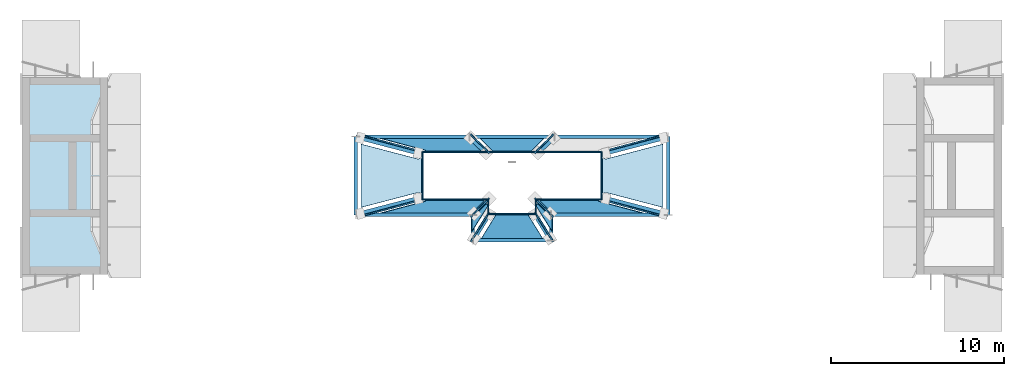
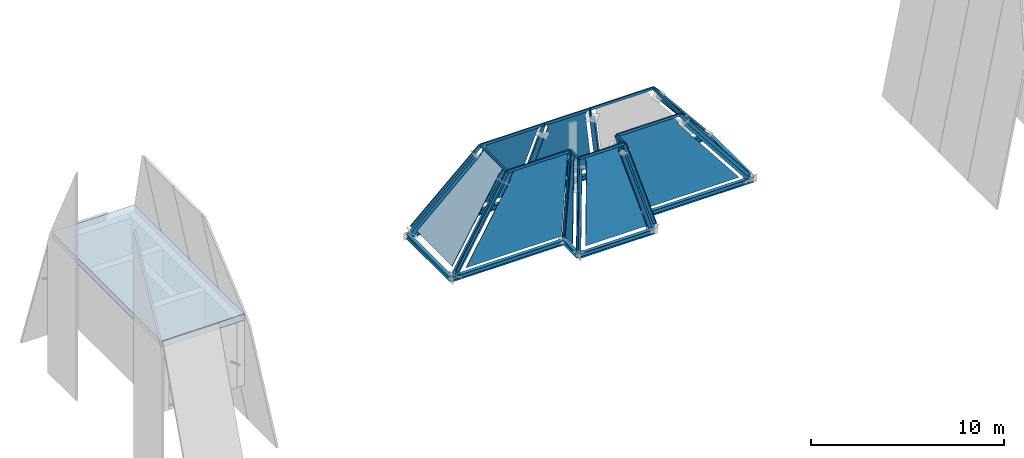
# One storey, part 1 of 5: 30 members, 10 beams, 9 plates, 1 slab, 10 elements without a shape of their own.
"""IFC4 building model written with IfcOpenShell, lengths in metres."""

from ifc_helpers import new_model, si_unit, direction, frame, origin, origin_2d, place, context, subcontext, project, spatial, polyline, rectangle, hollow_rectangle, i_section, outline, extrude, material, layer, layer_set, material_profile, profile_set, type_object, element, aggregate, save


model = new_model("IFC4")

# Units and contexts
model_context = context("Model", 3, precision=1e-05, world=origin(), true_north=direction((0.0, 1.0)))
body_context = subcontext(model_context, "Body", "Model", "MODEL_VIEW")
ifc_project = project(units=[si_unit("LENGTHUNIT", "METRE"), si_unit("AREAUNIT", "SQUARE_METRE"), si_unit("VOLUMEUNIT", "CUBIC_METRE"), si_unit("PLANEANGLEUNIT", "RADIAN"), si_unit("MASSUNIT", "GRAM", prefix="KILO")], contexts=[model_context])

# Site, building, storey
site_placement = place(None, origin())
site = spatial("IfcSite", under=ifc_project, at=site_placement, CompositionType="ELEMENT")
building_placement = place(site_placement, origin())
building = spatial("IfcBuilding", under=site, at=building_placement, Name="Perihelion Cross Residences", CompositionType="ELEMENT")
storey_placement = place(building_placement, frame((0.0, 0.0, 316.800048828125)))
storey = spatial("IfcBuildingStorey", under=building, at=storey_placement, Name="L80", CompositionType="ELEMENT", Elevation=316.800048828125)

# Curtain wall, member
ifc_material_1 = material(Name="Bronze anodised aluminium, tinted glazing", Category="aluminium")
curtain_wall_type = type_object("IfcCurtainWallType", Name="CW6", PredefinedType="NOTDEFINED", material=ifc_material_1)
curtain_wall_1_placement = place(storey_placement, origin())
curtain_wall_1 = element("IfcCurtainWall", 1, at=curtain_wall_1_placement, inside=storey, type_object=curtain_wall_type, Name="Curtain wall CW6 L80 crown 1", PredefinedType="NOTDEFINED")
ifc_material_2 = material(Name="Bronze anodised aluminium", Category="aluminium")
ifc_material_profile_1 = material_profile(ifc_material_2, rectangle(XDim=0.080078125, YDim=0.199951171875, at=origin_2d()), Name="CW6 mullion")
ifc_profile_set_1 = profile_set([ifc_material_profile_1], Name="Bronze anodised aluminium")
member_type_1 = type_object("IfcMemberType", Name="CW6 mullion", PredefinedType="MULLION", material=ifc_profile_set_1)
member_1_placement = place(storey_placement, frame((8.754150390625, -2.3310546875, 0.0), z_axis=(-0.614470480521, 0.163635477879, 0.771783297919), x_axis=(-0.257334760877, -0.966322317265, 0.0)))
member_1 = element("IfcMember", 2, at=member_1_placement, type_object=member_type_1, Name="Mullion CW6-M L80 crown 1", PredefinedType="MULLION", context=body_context, shape_type="SweptSolid", body=[
    extrude(rectangle(XDim=0.080078125, YDim=0.199951171875, at=origin_2d()), origin(), (0.0, 0.0, 1.0), 5.83056640625),
])

curtain_wall_2_placement = place(storey_placement, origin())
curtain_wall_2 = element("IfcCurtainWall", 3, at=curtain_wall_2_placement, inside=storey, type_object=curtain_wall_type, Name="Curtain wall CW6 L80 crown 2", PredefinedType="NOTDEFINED")
member_2_placement = place(storey_placement, frame((8.754150390625, 2.3310546875, 0.0), z_axis=(-0.614470480521, -0.163635477879, 0.771783297919), x_axis=(0.257334760877, -0.966322317265, 0.0)))
member_2 = element("IfcMember", 4, at=member_2_placement, type_object=member_type_1, Name="Mullion CW6-M L80 crown 2", PredefinedType="MULLION", context=body_context, shape_type="SweptSolid", body=[
    extrude(rectangle(XDim=0.080078125, YDim=0.199951171875, at=origin_2d()), origin(), (0.0, 0.0, 1.0), 5.83056640625),
])

curtain_wall_3_placement = place(storey_placement, origin())
curtain_wall_3 = element("IfcCurtainWall", 5, at=curtain_wall_3_placement, inside=storey, type_object=curtain_wall_type, Name="Curtain wall CW6 L80 crown 3", PredefinedType="NOTDEFINED")
member_3_placement = place(storey_placement, frame((2.3310546875, 2.3310546875, 0.0), z_axis=(-0.203089441132, -0.203089441132, 0.957867087754), x_axis=(0.707106781187, -0.707106781187, 0.0)))
member_3 = element("IfcMember", 6, at=member_3_placement, type_object=member_type_1, Name="Mullion CW6-M L80 crown 3", PredefinedType="MULLION", context=body_context, shape_type="SweptSolid", body=[
    extrude(rectangle(XDim=0.080078125, YDim=0.199951171875, at=origin_2d()), origin(), (0.0, 0.0, 1.0), 4.697998046875),
])

curtain_wall_4_placement = place(storey_placement, origin())
curtain_wall_4 = element("IfcCurtainWall", 7, at=curtain_wall_4_placement, inside=storey, type_object=curtain_wall_type, Name="Curtain wall CW6 L80 crown 4", PredefinedType="NOTDEFINED")
member_4_placement = place(storey_placement, frame((-2.3310546875, 2.3310546875, 0.0), z_axis=(0.203089441132, -0.203089441132, 0.957867087754), x_axis=(0.707106781187, 0.707106781187, 0.0)))
member_4 = element("IfcMember", 8, at=member_4_placement, type_object=member_type_1, Name="Mullion CW6-M L80 crown 4", PredefinedType="MULLION", context=body_context, shape_type="SweptSolid", body=[
    extrude(rectangle(XDim=0.080078125, YDim=0.199951171875, at=origin_2d()), origin(), (0.0, 0.0, 1.0), 4.697998046875),
])

curtain_wall_5_placement = place(storey_placement, origin())
curtain_wall_5 = element("IfcCurtainWall", 9, at=curtain_wall_5_placement, inside=storey, type_object=curtain_wall_type, Name="Curtain wall CW6 L80 crown 5", PredefinedType="NOTDEFINED")
member_5_placement = place(storey_placement, frame((-8.754150390625, 2.3310546875, 0.0), z_axis=(0.614470480521, -0.163635477879, 0.771783297919), x_axis=(0.257334760877, 0.966322317265, 0.0)))
member_5 = element("IfcMember", 10, at=member_5_placement, type_object=member_type_1, Name="Mullion CW6-M L80 crown 5", PredefinedType="MULLION", context=body_context, shape_type="SweptSolid", body=[
    extrude(rectangle(XDim=0.080078125, YDim=0.199951171875, at=origin_2d()), origin(), (0.0, 0.0, 1.0), 5.83056640625),
])

curtain_wall_6_placement = place(storey_placement, origin())
curtain_wall_6 = element("IfcCurtainWall", 11, at=curtain_wall_6_placement, inside=storey, type_object=curtain_wall_type, Name="Curtain wall CW6 L80 crown 6", PredefinedType="NOTDEFINED")
member_6_placement = place(storey_placement, frame((-8.754150390625, -2.3310546875, 0.0), z_axis=(0.614470480521, 0.163635477879, 0.771783297919), x_axis=(-0.257334760877, 0.966322317265, 0.0)))
member_6 = element("IfcMember", 12, at=member_6_placement, type_object=member_type_1, Name="Mullion CW6-M L80 crown 6", PredefinedType="MULLION", context=body_context, shape_type="SweptSolid", body=[
    extrude(rectangle(XDim=0.080078125, YDim=0.199951171875, at=origin_2d()), origin(), (0.0, 0.0, 1.0), 5.83056640625),
])

curtain_wall_7_placement = place(storey_placement, origin())
curtain_wall_7 = element("IfcCurtainWall", 13, at=curtain_wall_7_placement, inside=storey, type_object=curtain_wall_type, Name="Curtain wall CW6 L80 crown 7", PredefinedType="NOTDEFINED")
member_7_placement = place(storey_placement, frame((-2.3310546875, -2.3310546875, 0.0), z_axis=(0.203089441132, 0.203089441132, 0.957867087754), x_axis=(-0.707106781187, 0.707106781187, 0.0)))
member_7 = element("IfcMember", 14, at=member_7_placement, type_object=member_type_1, Name="Mullion CW6-M L80 crown 7", PredefinedType="MULLION", context=body_context, shape_type="SweptSolid", body=[
    extrude(rectangle(XDim=0.080078125, YDim=0.199951171875, at=origin_2d()), origin(), (0.0, 0.0, 1.0), 4.697998046875),
])

curtain_wall_8_placement = place(storey_placement, origin())
curtain_wall_8 = element("IfcCurtainWall", 15, at=curtain_wall_8_placement, inside=storey, type_object=curtain_wall_type, Name="Curtain wall CW6 L80 crown 8", PredefinedType="NOTDEFINED")
member_8_placement = place(storey_placement, frame((-2.3310546875, -3.7294921875, 0.0), z_axis=(0.196857567064, 0.314931808927, 0.928474584475), x_axis=(-0.847967823625, 0.530047705491, 0.0)))
member_8 = element("IfcMember", 16, at=member_8_placement, type_object=member_type_1, Name="Mullion CW6-M L80 crown 8", PredefinedType="MULLION", context=body_context, shape_type="SweptSolid", body=[
    extrude(rectangle(XDim=0.080078125, YDim=0.199951171875, at=origin_2d()), origin(), (0.0, 0.0, 1.0), 4.8466796875),
])

curtain_wall_9_placement = place(storey_placement, origin())
curtain_wall_9 = element("IfcCurtainWall", 17, at=curtain_wall_9_placement, inside=storey, type_object=curtain_wall_type, Name="Curtain wall CW6 L80 crown 9", PredefinedType="NOTDEFINED")
member_9_placement = place(storey_placement, frame((2.3310546875, -3.7294921875, 0.0), z_axis=(-0.196857567064, 0.314931808927, 0.928474584475), x_axis=(-0.847967823625, -0.530047705491, 0.0)))
member_9 = element("IfcMember", 18, at=member_9_placement, type_object=member_type_1, Name="Mullion CW6-M L80 crown 9", PredefinedType="MULLION", context=body_context, shape_type="SweptSolid", body=[
    extrude(rectangle(XDim=0.080078125, YDim=0.199951171875, at=origin_2d()), origin(), (0.0, 0.0, 1.0), 4.8466796875),
])

curtain_wall_10_placement = place(storey_placement, origin())
curtain_wall_10 = element("IfcCurtainWall", 19, at=curtain_wall_10_placement, inside=storey, type_object=curtain_wall_type, Name="Curtain wall CW6 L80 crown 10", PredefinedType="NOTDEFINED")
member_10_placement = place(storey_placement, frame((2.3310546875, -2.3310546875, 0.0), z_axis=(-0.203089441132, 0.203089441132, 0.957867087754), x_axis=(-0.707106781187, -0.707106781187, 0.0)))
member_10 = element("IfcMember", 20, at=member_10_placement, type_object=member_type_1, Name="Mullion CW6-M L80 crown 10", PredefinedType="MULLION", context=body_context, shape_type="SweptSolid", body=[
    extrude(rectangle(XDim=0.080078125, YDim=0.199951171875, at=origin_2d()), origin(), (0.0, 0.0, 1.0), 4.697998046875),
])

# Member
ifc_material_3 = material(Name="Bronze anodised aluminium", Category="aluminium")
ifc_material_profile_2 = material_profile(ifc_material_3, rectangle(XDim=0.080078125, YDim=0.159912109375, at=origin_2d()), Name="CW6 transom")
ifc_profile_set_2 = profile_set([ifc_material_profile_2], Name="Bronze anodised aluminium")
member_type_2 = type_object("IfcMemberType", Name="CW6 transom", PredefinedType="USERDEFINED", material=ifc_profile_set_2)
member_11_placement = place(storey_placement, frame((5.17138671875, -1.376953125, 4.5), z_axis=(0.0, 1.0, 0.0), x_axis=(-1.0, 0.0, 0.0)))
member_11 = element("IfcMember", 21, at=member_11_placement, type_object=member_type_2, Name="Transom CW6-T L80 crown 1 top", ObjectType="TRANSOM", PredefinedType="USERDEFINED", context=body_context, shape_type="SweptSolid", body=[
    extrude(rectangle(XDim=0.080078125, YDim=0.159912109375, at=origin_2d()), origin(), (0.0, 0.0, 1.0), 2.75390625),
])

member_12_placement = place(storey_placement, frame((5.17138671875, 1.376953125, 4.5), z_axis=(-1.0, 0.0, 0.0), x_axis=(0.0, -1.0, 0.0)))
member_12 = element("IfcMember", 22, at=member_12_placement, type_object=member_type_2, Name="Transom CW6-T L80 crown 2 top", ObjectType="TRANSOM", PredefinedType="USERDEFINED", context=body_context, shape_type="SweptSolid", body=[
    extrude(rectangle(XDim=0.080078125, YDim=0.159912109375, at=origin_2d()), origin(), (0.0, 0.0, 1.0), 3.79443359375),
])

aggregate(curtain_wall_2, [member_2, member_12])

member_13_placement = place(storey_placement, frame((1.376953125, 1.376953125, 4.5), z_axis=(-1.0, 0.0, 0.0), x_axis=(0.0, -1.0, 0.0)))
member_13 = element("IfcMember", 23, at=member_13_placement, type_object=member_type_2, Name="Transom CW6-T L80 crown 3 top", ObjectType="TRANSOM", PredefinedType="USERDEFINED", context=body_context, shape_type="SweptSolid", body=[
    extrude(rectangle(XDim=0.080078125, YDim=0.159912109375, at=origin_2d()), origin(), (0.0, 0.0, 1.0), 2.75390625),
])

member_14_placement = place(storey_placement, frame((-1.376953125, 1.376953125, 4.5), z_axis=(-1.0, 0.0, 0.0), x_axis=(0.0, -1.0, 0.0)))
member_14 = element("IfcMember", 24, at=member_14_placement, type_object=member_type_2, Name="Transom CW6-T L80 crown 4 top", ObjectType="TRANSOM", PredefinedType="USERDEFINED", context=body_context, shape_type="SweptSolid", body=[
    extrude(rectangle(XDim=0.080078125, YDim=0.159912109375, at=origin_2d()), origin(), (0.0, 0.0, 1.0), 3.79443359375),
])

member_15_placement = place(storey_placement, frame((-5.17138671875, 1.376953125, 4.5), z_axis=(0.0, -1.0, 0.0), x_axis=(1.0, 0.0, 0.0)))
member_15 = element("IfcMember", 25, at=member_15_placement, type_object=member_type_2, Name="Transom CW6-T L80 crown 5 top", ObjectType="TRANSOM", PredefinedType="USERDEFINED", context=body_context, shape_type="SweptSolid", body=[
    extrude(rectangle(XDim=0.080078125, YDim=0.159912109375, at=origin_2d()), origin(), (0.0, 0.0, 1.0), 2.75390625),
])

member_16_placement = place(storey_placement, frame((-5.17138671875, -1.376953125, 4.5), z_axis=(1.0, 0.0, 0.0), x_axis=(0.0, 1.0, 0.0)))
member_16 = element("IfcMember", 26, at=member_16_placement, type_object=member_type_2, Name="Transom CW6-T L80 crown 6 top", ObjectType="TRANSOM", PredefinedType="USERDEFINED", context=body_context, shape_type="SweptSolid", body=[
    extrude(rectangle(XDim=0.080078125, YDim=0.159912109375, at=origin_2d()), origin(), (0.0, 0.0, 1.0), 3.79443359375),
])

member_17_placement = place(storey_placement, frame((-1.376953125, -1.376953125, 4.5), z_axis=(0.0, -1.0, 0.0), x_axis=(1.0, 0.0, 0.0)))
member_17 = element("IfcMember", 27, at=member_17_placement, type_object=member_type_2, Name="Transom CW6-T L80 crown 7 top", ObjectType="TRANSOM", PredefinedType="USERDEFINED", context=body_context, shape_type="SweptSolid", body=[
    extrude(rectangle(XDim=0.080078125, YDim=0.159912109375, at=origin_2d()), origin(), (0.0, 0.0, 1.0), 0.826171875),
])

member_18_placement = place(storey_placement, frame((-1.376953125, -2.203125, 4.5), z_axis=(1.0, 0.0, 0.0), x_axis=(0.0, 1.0, 0.0)))
member_18 = element("IfcMember", 28, at=member_18_placement, type_object=member_type_2, Name="Transom CW6-T L80 crown 8 top", ObjectType="TRANSOM", PredefinedType="USERDEFINED", context=body_context, shape_type="SweptSolid", body=[
    extrude(rectangle(XDim=0.080078125, YDim=0.159912109375, at=origin_2d()), origin(), (0.0, 0.0, 1.0), 2.75390625),
])

member_19_placement = place(storey_placement, frame((1.376953125, -2.203125, 4.5), z_axis=(0.0, 1.0, 0.0), x_axis=(-1.0, 0.0, 0.0)))
member_19 = element("IfcMember", 29, at=member_19_placement, type_object=member_type_2, Name="Transom CW6-T L80 crown 9 top", ObjectType="TRANSOM", PredefinedType="USERDEFINED", context=body_context, shape_type="SweptSolid", body=[
    extrude(rectangle(XDim=0.080078125, YDim=0.159912109375, at=origin_2d()), origin(), (0.0, 0.0, 1.0), 0.826171875),
])

member_20_placement = place(storey_placement, frame((1.376953125, -1.376953125, 4.5), z_axis=(1.0, 0.0, 0.0), x_axis=(0.0, 1.0, 0.0)))
member_20 = element("IfcMember", 30, at=member_20_placement, type_object=member_type_2, Name="Transom CW6-T L80 crown 10 top", ObjectType="TRANSOM", PredefinedType="USERDEFINED", context=body_context, shape_type="SweptSolid", body=[
    extrude(rectangle(XDim=0.080078125, YDim=0.159912109375, at=origin_2d()), origin(), (0.0, 0.0, 1.0), 3.79443359375),
])

# Members
ifc_material_4 = material(Name="Steel S355", Category="steel")
ifc_material_profile_3 = material_profile(ifc_material_4, hollow_rectangle(XDim=0.25390625, YDim=0.25390625, WallThickness=0.009521484375, at=origin_2d()), Name="HSS254x254x9.5")
ifc_profile_set_3 = profile_set([ifc_material_profile_3], Name="Steel S355")
member_type_3 = type_object("IfcMemberType", Name="Crown leg HSS254x254x9.5", PredefinedType="BRACE", material=ifc_profile_set_3)
for number, where, z_axis, x_axis, name in (
    (31, (8.783203125, -2.19482421875, -0.25), (-0.614997506046, 0.160596151199, 0.772001906589), (-0.252660547456, -0.96755498436, 0.0), "Crown leg CR5 L80 1 no. 1"),
    (32, (8.783203125, 2.19482421875, -0.25), (-0.614997506046, -0.160596151199, 0.772001906589), (0.252660547456, -0.96755498436, 0.0), "Crown leg CR5 L80 2 no. 1"),
):
    element("IfcMember", number, at=place(storey_placement, frame(where, z_axis=z_axis, x_axis=x_axis)), inside=storey, type_object=member_type_3, Name=name, PredefinedType="BRACE", context=body_context, shape_type="SweptSolid", body=[
        extrude(hollow_rectangle(XDim=0.25390625, YDim=0.25390625, WallThickness=0.009521484375, at=origin_2d()), origin(), (0.0, 0.0, 1.0), 5.437744140625),
    ])
for number, where, z_axis, x_axis, name in (
    (33, (2.390869140625, 2.19482421875, -0.25), (-0.204649549453, -0.199354966883, 0.95831944522), (0.697780047375, -0.716312086653, 0.0), "Crown leg CR5 L80 3 no. 1"),
    (34, (-2.390869140625, 2.19482421875, -0.25), (0.204649549453, -0.199354966883, 0.95831944522), (0.697780047375, 0.716312086653, 0.0), "Crown leg CR5 L80 4 no. 1"),
):
    element("IfcMember", number, at=place(storey_placement, frame(where, z_axis=z_axis, x_axis=x_axis)), inside=storey, type_object=member_type_3, Name=name, PredefinedType="BRACE", context=body_context, shape_type="SweptSolid", body=[
        extrude(hollow_rectangle(XDim=0.25390625, YDim=0.25390625, WallThickness=0.009521484375, at=origin_2d()), origin(), (0.0, 0.0, 1.0), 4.380615234375),
    ])
for number, where, z_axis, x_axis, name in (
    (35, (-8.783203125, 2.19482421875, -0.25), (0.614997506046, -0.160596151199, 0.772001906589), (0.252660547456, 0.96755498436, 0.0), "Crown leg CR5 L80 5 no. 1"),
    (36, (-8.783203125, -2.19482421875, -0.25), (0.614997506046, 0.160596151199, 0.772001906589), (-0.252660547456, 0.96755498436, 0.0), "Crown leg CR5 L80 6 no. 1"),
):
    element("IfcMember", number, at=place(storey_placement, frame(where, z_axis=z_axis, x_axis=x_axis)), inside=storey, type_object=member_type_3, Name=name, PredefinedType="BRACE", context=body_context, shape_type="SweptSolid", body=[
        extrude(hollow_rectangle(XDim=0.25390625, YDim=0.25390625, WallThickness=0.009521484375, at=origin_2d()), origin(), (0.0, 0.0, 1.0), 5.437744140625),
    ])
member_21_placement = place(storey_placement, frame((-2.19482421875, -2.19482421875, -0.25), z_axis=(0.1995685232, 0.1995685232, 0.95934603199), x_axis=(-0.707106781187, 0.707106781187, 0.0)))
element("IfcMember", 37, at=member_21_placement, inside=storey, type_object=member_type_3, Name="Crown leg CR5 L80 7 no. 1", PredefinedType="BRACE", context=body_context, shape_type="SweptSolid", body=[
    extrude(hollow_rectangle(XDim=0.25390625, YDim=0.25390625, WallThickness=0.009521484375, at=origin_2d()), origin(), (0.0, 0.0, 1.0), 4.3759765625),
])
for number, where, z_axis, x_axis, name in (
    (38, (-2.19482421875, -3.62939453125, -0.25), (0.193455125678, 0.312654202278, 0.929958313123), (-0.850377983248, 0.526172296502, 0.0), "Crown leg CR5 L80 8 no. 1"),
    (39, (2.19482421875, -3.62939453125, -0.25), (-0.193455125678, 0.312654202278, 0.929958313123), (-0.850377983248, -0.526172296502, 0.0), "Crown leg CR5 L80 9 no. 1"),
):
    element("IfcMember", number, at=place(storey_placement, frame(where, z_axis=z_axis, x_axis=x_axis)), inside=storey, type_object=member_type_3, Name=name, PredefinedType="BRACE", context=body_context, shape_type="SweptSolid", body=[
        extrude(hollow_rectangle(XDim=0.25390625, YDim=0.25390625, WallThickness=0.009521484375, at=origin_2d()), origin(), (0.0, 0.0, 1.0), 4.51416015625),
    ])
member_22_placement = place(storey_placement, frame((2.19482421875, -2.19482421875, -0.25), z_axis=(-0.1995685232, 0.1995685232, 0.95934603199), x_axis=(-0.707106781187, -0.707106781187, 0.0)))
element("IfcMember", 40, at=member_22_placement, inside=storey, type_object=member_type_3, Name="Crown leg CR5 L80 10 no. 1", PredefinedType="BRACE", context=body_context, shape_type="SweptSolid", body=[
    extrude(hollow_rectangle(XDim=0.25390625, YDim=0.25390625, WallThickness=0.009521484375, at=origin_2d()), origin(), (0.0, 0.0, 1.0), 4.3759765625),
])

# Beams
ifc_material_5 = material(Name="Steel S355", Category="steel")
ifc_material_profile_4 = material_profile(ifc_material_5, i_section(OverallWidth=0.202880859375, OverallDepth=0.302001953125, WebThickness=0.007568359375, FlangeThickness=0.01318359375, at=origin_2d()), Name="W310x60")
ifc_profile_set_4 = profile_set([ifc_material_profile_4], Name="Steel S355")
beam_type = type_object("IfcBeamType", Name="Crown ring beam W310x60", PredefinedType="BEAM", material=ifc_profile_set_4)
beam_1_placement = place(storey_placement, frame((9.03515625, -2.26123046875, -0.401123046875), z_axis=(0.0, 1.0, 0.0), x_axis=(-1.0, 0.0, 0.0)))
element("IfcBeam", 41, at=beam_1_placement, inside=storey, type_object=beam_type, Name="Crown ring beam CB2 L80 no. 1", PredefinedType="BEAM", context=body_context, shape_type="SweptSolid", body=[
    extrude(i_section(OverallWidth=0.202880859375, OverallDepth=0.302001953125, WebThickness=0.007568359375, FlangeThickness=0.01318359375, at=origin_2d()), origin(), (0.0, 0.0, 1.0), 4.5224609375),
])
beam_2_placement = place(storey_placement, frame((9.03515625, 2.26123046875, -0.401123046875), z_axis=(-1.0, 0.0, 0.0), x_axis=(0.0, -1.0, 0.0)))
element("IfcBeam", 42, at=beam_2_placement, inside=storey, type_object=beam_type, Name="Crown ring beam CB2 L80 no. 2", PredefinedType="BEAM", context=body_context, shape_type="SweptSolid", body=[
    extrude(i_section(OverallWidth=0.202880859375, OverallDepth=0.302001953125, WebThickness=0.007568359375, FlangeThickness=0.01318359375, at=origin_2d()), origin(), (0.0, 0.0, 1.0), 6.576904296875),
])
beam_3_placement = place(storey_placement, frame((2.458251953125, 2.26123046875, -0.401123046875), z_axis=(-1.0, 0.0, 0.0), x_axis=(0.0, -1.0, 0.0)))
element("IfcBeam", 43, at=beam_3_placement, inside=storey, type_object=beam_type, Name="Crown ring beam CB2 L80 no. 3", PredefinedType="BEAM", context=body_context, shape_type="SweptSolid", body=[
    extrude(i_section(OverallWidth=0.202880859375, OverallDepth=0.302001953125, WebThickness=0.007568359375, FlangeThickness=0.01318359375, at=origin_2d()), origin(), (0.0, 0.0, 1.0), 4.91650390625),
])
beam_4_placement = place(storey_placement, frame((-2.458251953125, 2.26123046875, -0.401123046875), z_axis=(-1.0, 0.0, 0.0), x_axis=(0.0, -1.0, 0.0)))
element("IfcBeam", 44, at=beam_4_placement, inside=storey, type_object=beam_type, Name="Crown ring beam CB2 L80 no. 4", PredefinedType="BEAM", context=body_context, shape_type="SweptSolid", body=[
    extrude(i_section(OverallWidth=0.202880859375, OverallDepth=0.302001953125, WebThickness=0.007568359375, FlangeThickness=0.01318359375, at=origin_2d()), origin(), (0.0, 0.0, 1.0), 6.576904296875),
])
beam_5_placement = place(storey_placement, frame((-9.03515625, 2.26123046875, -0.401123046875), z_axis=(0.0, -1.0, 0.0), x_axis=(1.0, 0.0, 0.0)))
element("IfcBeam", 45, at=beam_5_placement, inside=storey, type_object=beam_type, Name="Crown ring beam CB2 L80 no. 5", PredefinedType="BEAM", context=body_context, shape_type="SweptSolid", body=[
    extrude(i_section(OverallWidth=0.202880859375, OverallDepth=0.302001953125, WebThickness=0.007568359375, FlangeThickness=0.01318359375, at=origin_2d()), origin(), (0.0, 0.0, 1.0), 4.5224609375),
])
beam_6_placement = place(storey_placement, frame((-9.03515625, -2.26123046875, -0.401123046875), z_axis=(1.0, 0.0, 0.0), x_axis=(0.0, 1.0, 0.0)))
element("IfcBeam", 46, at=beam_6_placement, inside=storey, type_object=beam_type, Name="Crown ring beam CB2 L80 no. 6", PredefinedType="BEAM", context=body_context, shape_type="SweptSolid", body=[
    extrude(i_section(OverallWidth=0.202880859375, OverallDepth=0.302001953125, WebThickness=0.007568359375, FlangeThickness=0.01318359375, at=origin_2d()), origin(), (0.0, 0.0, 1.0), 6.77392578125),
])
beam_7_placement = place(storey_placement, frame((-2.26123046875, -2.26123046875, -0.401123046875), z_axis=(0.0, -1.0, 0.0), x_axis=(1.0, 0.0, 0.0)))
element("IfcBeam", 47, at=beam_7_placement, inside=storey, type_object=beam_type, Name="Crown ring beam CB2 L80 no. 7", PredefinedType="BEAM", context=body_context, shape_type="SweptSolid", body=[
    extrude(i_section(OverallWidth=0.202880859375, OverallDepth=0.302001953125, WebThickness=0.007568359375, FlangeThickness=0.01318359375, at=origin_2d()), origin(), (0.0, 0.0, 1.0), 1.47509765625),
])
beam_8_placement = place(storey_placement, frame((-2.26123046875, -3.736328125, -0.401123046875), z_axis=(1.0, 0.0, 0.0), x_axis=(0.0, 1.0, 0.0)))
element("IfcBeam", 48, at=beam_8_placement, inside=storey, type_object=beam_type, Name="Crown ring beam CB2 L80 no. 8", PredefinedType="BEAM", context=body_context, shape_type="SweptSolid", body=[
    extrude(i_section(OverallWidth=0.202880859375, OverallDepth=0.302001953125, WebThickness=0.007568359375, FlangeThickness=0.01318359375, at=origin_2d()), origin(), (0.0, 0.0, 1.0), 4.5224609375),
])
beam_9_placement = place(storey_placement, frame((2.26123046875, -3.736328125, -0.401123046875), z_axis=(0.0, 1.0, 0.0), x_axis=(-1.0, 0.0, 0.0)))
element("IfcBeam", 49, at=beam_9_placement, inside=storey, type_object=beam_type, Name="Crown ring beam CB2 L80 no. 9", PredefinedType="BEAM", context=body_context, shape_type="SweptSolid", body=[
    extrude(i_section(OverallWidth=0.202880859375, OverallDepth=0.302001953125, WebThickness=0.007568359375, FlangeThickness=0.01318359375, at=origin_2d()), origin(), (0.0, 0.0, 1.0), 1.47509765625),
])
beam_10_placement = place(storey_placement, frame((2.26123046875, -2.26123046875, -0.401123046875), z_axis=(1.0, 0.0, 0.0), x_axis=(0.0, 1.0, 0.0)))
element("IfcBeam", 50, at=beam_10_placement, inside=storey, type_object=beam_type, Name="Crown ring beam CB2 L80 no. 10", PredefinedType="BEAM", context=body_context, shape_type="SweptSolid", body=[
    extrude(i_section(OverallWidth=0.202880859375, OverallDepth=0.302001953125, WebThickness=0.007568359375, FlangeThickness=0.01318359375, at=origin_2d()), origin(), (0.0, 0.0, 1.0), 6.77392578125),
])

# Plate
ifc_material_6 = material(Name="Bronze anodised aluminium", Category="aluminium")
ifc_layer_1 = layer(ifc_material_6, 0.033935546875)
ifc_layer_set_1 = layer_set([ifc_layer_1], Name="CW6 metal panel")
plate_type_1 = type_object("IfcPlateType", Name="CW6 metal panel", PredefinedType="CURTAIN_PANEL", material=ifc_layer_set_1)
plate_1_placement = place(storey_placement, frame((-1.38427734375, -1.788330078125, 4.4658203125), z_axis=(-0.978255652994, -7.1943643e-05, 0.207402681298), x_axis=(-0.19696787794, -0.312874846606, -0.929146374594)))
plate_1 = element("IfcPlate", 51, at=plate_1_placement, type_object=plate_type_1, Name="Curtain wall panel CW6-PM L80 crown 7", PredefinedType="CURTAIN_PANEL", context=body_context, shape_type="SweptSolid", body=[
    extrude(outline(polyline([(0.0, 0.0), (0.2855949499432671, 0.0), (0.28561623947801174, -0.06375436505359199), (4.748241300340686, -0.0647856052179685), (4.515189260059013, -0.7722618236236667), (0.044466543970086383, -0.24547496907245647), (0.03693340827281952, -0.3090542209860062), (-0.09670399311589593, -0.29356436987925727), (0.0, 0.0)])), origin(), (0.0, 0.0, -1.0), 0.033935546875),
])

aggregate(curtain_wall_7, [member_7, member_17, plate_1])

plate_2_placement = place(storey_placement, frame((0.955322265625, -2.21435546875, 4.466796875), z_axis=(0.0, -0.947002055764, 0.321227499411), x_axis=(0.201207321139, -0.314657972607, -0.927634612439)))
plate_2 = element("IfcPlate", 52, at=plate_2_placement, type_object=plate_type_1, Name="Curtain wall panel CW6-PM L80 crown 8", PredefinedType="CURTAIN_PANEL", context=body_context, shape_type="SweptSolid", body=[
    extrude(outline(polyline([(0.0, 0.0), (0.23660879537351878, 0.0), (0.23601528905333627, -0.055458133669250564), (4.76075032269644, -0.09110877002074835), (4.026756232741131, -3.6644526071695633), (-0.14566949738440652, -1.9136351926068953), (-0.16698479605151278, -1.9648369004159192), (-0.3844356677814383, -1.8715693260290875), (0.0, 0.0)])), origin(), (0.0, 0.0, -1.0), 0.033935546875),
])

aggregate(curtain_wall_8, [member_8, member_18, plate_2])

plate_3_placement = place(storey_placement, frame((1.38427734375, -1.479248046875, 4.4658203125), z_axis=(0.978255652994, -7.1943643e-05, 0.207402681298), x_axis=(0.203137099057, -0.201435975517, -0.958206066957)))
plate_3 = element("IfcPlate", 53, at=plate_3_placement, type_object=plate_type_1, Name="Curtain wall panel CW6-PM L80 crown 9", PredefinedType="CURTAIN_PANEL", context=body_context, shape_type="SweptSolid", body=[
    extrude(outline(polyline([(0.0, 0.0), (0.13453211707588297, 0.0), (0.13469472166354118, -0.0640237687666308), (4.636338113641932, -0.05549348513819752), (4.786382342475822, -0.7850978864974008), (0.3533175619439724, -0.2723014854726268), (0.34595582021734944, -0.3356293961864776), (0.06226024047974577, -0.3027463690989024), (0.0, 0.0)])), origin(), (0.0, 0.0, -1.0), 0.033935546875),
])

aggregate(curtain_wall_9, [member_9, member_19, plate_3])

ifc_material_7 = material(Name="Tinted laminated glass", Category="glass")
ifc_layer_2 = layer(ifc_material_7, 0.033935546875)
ifc_layer_set_2 = layer_set([ifc_layer_2], Name="CW6 panel")
plate_type_2 = type_object("IfcPlateType", Name="CW6 panel", PredefinedType="CURTAIN_PANEL", material=ifc_layer_set_2)
plate_4_placement = place(storey_placement, frame((5.193115234375, 0.9716796875, 4.47265625), z_axis=(0.782325425793, 0.0, 0.622869912709), x_axis=(0.614543479567, 0.162963203182, -0.771867414865)))
plate_4 = element("IfcPlate", 54, at=plate_4_placement, type_object=plate_type_2, Name="Curtain wall panel CW6-P L80 crown 1", PredefinedType="CURTAIN_PANEL", context=body_context, shape_type="SweptSolid", body=[
    extrude(outline(polyline([(0.0, 0.0), (0.29513228867533225, 0.0), (0.294838427475776, -0.06354572190233923), (5.746574690128718, -0.0764177760145528), (5.149228612839597, -3.6929448907651437), (-0.017083328614985904, -1.9520213166568772), (-0.03723943968974741, -2.012286367165741), (-0.3166960686839878, -1.9173808334497604), (0.0, 0.0)])), origin(), (0.0, 0.0, -1.0), 0.033935546875),
])

aggregate(curtain_wall_1, [member_1, member_11, plate_4])

plate_5_placement = place(storey_placement, frame((-1.133056640625, 1.38427734375, 4.4658203125), z_axis=(0.0, 0.978259165773, 0.207386124372), x_axis=(-0.201830256118, 0.203118225002, -0.958127097199)))
plate_5 = element("IfcPlate", 55, at=plate_5_placement, type_object=plate_type_2, Name="Curtain wall panel CW6-P L80 crown 3", PredefinedType="CURTAIN_PANEL", context=body_context, shape_type="SweptSolid", body=[
    extrude(outline(polyline([(0.0, 0.0), (0.2395074191538127, 0.0), (0.2397376023930969, -0.06435921868513325), (4.614728367308972, -0.051344945126651775), (3.8016914469113376, -3.99676450534714), (-0.2117196257695166, -2.255143098123928), (-0.23737569088305407, -2.3141679093220535), (-0.4573702239473236, -2.219477839876762), (0.0, 0.0)])), origin(), (0.0, 0.0, -1.0), 0.033935546875),
])

aggregate(curtain_wall_3, [member_3, member_13, plate_5])

plate_6_placement = place(storey_placement, frame((-4.736083984375, 1.38427734375, 4.4658203125), z_axis=(-1.0140466e-05, 0.978258858143, 0.207387575236), x_axis=(-0.610824380305, 0.164196394788, -0.774553497419)))
plate_6 = element("IfcPlate", 56, at=plate_6_placement, type_object=plate_type_2, Name="Curtain wall panel CW6-P L80 crown 4", PredefinedType="CURTAIN_PANEL", context=body_context, shape_type="SweptSolid", body=[
    extrude(outline(polyline([(0.0, 0.0), (0.5040095614673675, -2.7755575615628914e-17), (0.5043409303386965, -0.06408397073050692), (5.693217085961347, -0.03671471898765688), (2.3204106871910897, -4.408632238057003), (-1.7368232189563428, -2.4441558605092513), (-1.7642782057748936, -2.500987546106413), (-1.8842202258682494, -2.4423742252925322), (0.0, 0.0)])), origin(), (0.0, 0.0, -1.0), 0.033935546875),
])

aggregate(curtain_wall_4, [member_4, member_14, plate_6])

plate_7_placement = place(storey_placement, frame((-5.193115234375, -0.9716796875, 4.47265625), z_axis=(-0.782325425793, 0.0, 0.622869912709), x_axis=(-0.614543479567, -0.162963203182, -0.771867414865)))
plate_7 = element("IfcPlate", 57, at=plate_7_placement, type_object=plate_type_2, Name="Curtain wall panel CW6-P L80 crown 5", PredefinedType="CURTAIN_PANEL", context=body_context, shape_type="SweptSolid", body=[
    extrude(outline(polyline([(0.0, 0.0), (0.29513228867533225, 0.0), (0.294838427475776, -0.06354572190233923), (5.746574690128718, -0.0764177760145528), (5.149228612839597, -3.6929448907651437), (-0.017083328614985904, -1.9520213166568772), (-0.03723943968974741, -2.012286367165741), (-0.3166960686839878, -1.9173808334497604), (0.0, 0.0)])), origin(), (0.0, 0.0, -1.0), 0.033935546875),
])

aggregate(curtain_wall_5, [member_5, member_15, plate_7])

plate_8_placement = place(storey_placement, frame((-1.479248046875, -1.38427734375, 4.4658203125), z_axis=(-8.256685e-06, -0.978258984563, 0.207386978986), x_axis=(-0.201435982959, -0.203134267685, -0.958206665632)))
plate_8 = element("IfcPlate", 58, at=plate_8_placement, type_object=plate_type_2, Name="Curtain wall panel CW6-P L80 crown 6", PredefinedType="CURTAIN_PANEL", context=body_context, shape_type="SweptSolid", body=[
    extrude(outline(polyline([(0.0, 0.0), (0.13453211707588297, 0.0), (0.13469472223427298, -0.06402376598782121), (4.636338114165129, -0.055493447209897906), (5.787955890765856, -5.655344737086042), (1.1373546381370425, -3.3538033353027283), (1.1089359771187626, -3.411242388604195), (0.6560439484072976, -3.19007627821445), (0.0, 0.0)])), origin(), (0.0, 0.0, -1.0), 0.033935546875),
])

aggregate(curtain_wall_6, [member_6, member_16, plate_8])

plate_9_placement = place(storey_placement, frame((4.736083984375, -1.38427734375, 4.4658203125), z_axis=(8.256685e-06, -0.978258984563, 0.207386978986), x_axis=(0.610824380332, -0.164197048334, -0.774553358853)))
plate_9 = element("IfcPlate", 59, at=plate_9_placement, type_object=plate_type_2, Name="Curtain wall panel CW6-P L80 crown 10", PredefinedType="CURTAIN_PANEL", context=body_context, shape_type="SweptSolid", body=[
    extrude(outline(polyline([(0.0, 0.0), (0.5040095614673675, -2.7755575615628914e-17), (0.5043409303386965, -0.06408397073050692), (5.693217085961347, -0.03671471898765688), (2.201109050253786, -4.5632740569995605), (-1.8402265643589804, -2.580227803248614), (-1.8684671593082478, -2.6376868134090086), (-1.989354793366983, -2.5786523280923705), (0.0, 0.0)])), origin(), (0.0, 0.0, -1.0), 0.033935546875),
])

aggregate(curtain_wall_10, [member_10, member_20, plate_9])

# Slab
ifc_material_8 = material(Name="Concrete C50/60", Category="concrete")
ifc_layer_3 = layer(ifc_material_8, 0.39990234375)
ifc_layer_set_3 = layer_set([ifc_layer_3], Name="Stack roof slab 400")
slab_type = type_object("IfcSlabType", Name="Stack roof slab 400", PredefinedType="ROOF", material=ifc_layer_set_3)
slab_placement = place(storey_placement, frame((0.0, 0.0, 4.099853515625)))
element("IfcSlab", 60, at=slab_placement, inside=storey, type_object=slab_type, Name="West core stack roof, step 2", PredefinedType="ROOF", context=body_context, shape_type="SweptSolid", body=[
    extrude(outline(polyline([(-23.39990234375, 5.699951171875), (-28.35009765625, 5.699951171875), (-28.35009765625, -5.699951171875), (-23.39990234375, -5.699951171875), (-23.39990234375, 5.699951171875)])), origin(), (0.0, 0.0, 1.0), 0.400146484375),
])

save(model, "model.ifc")
